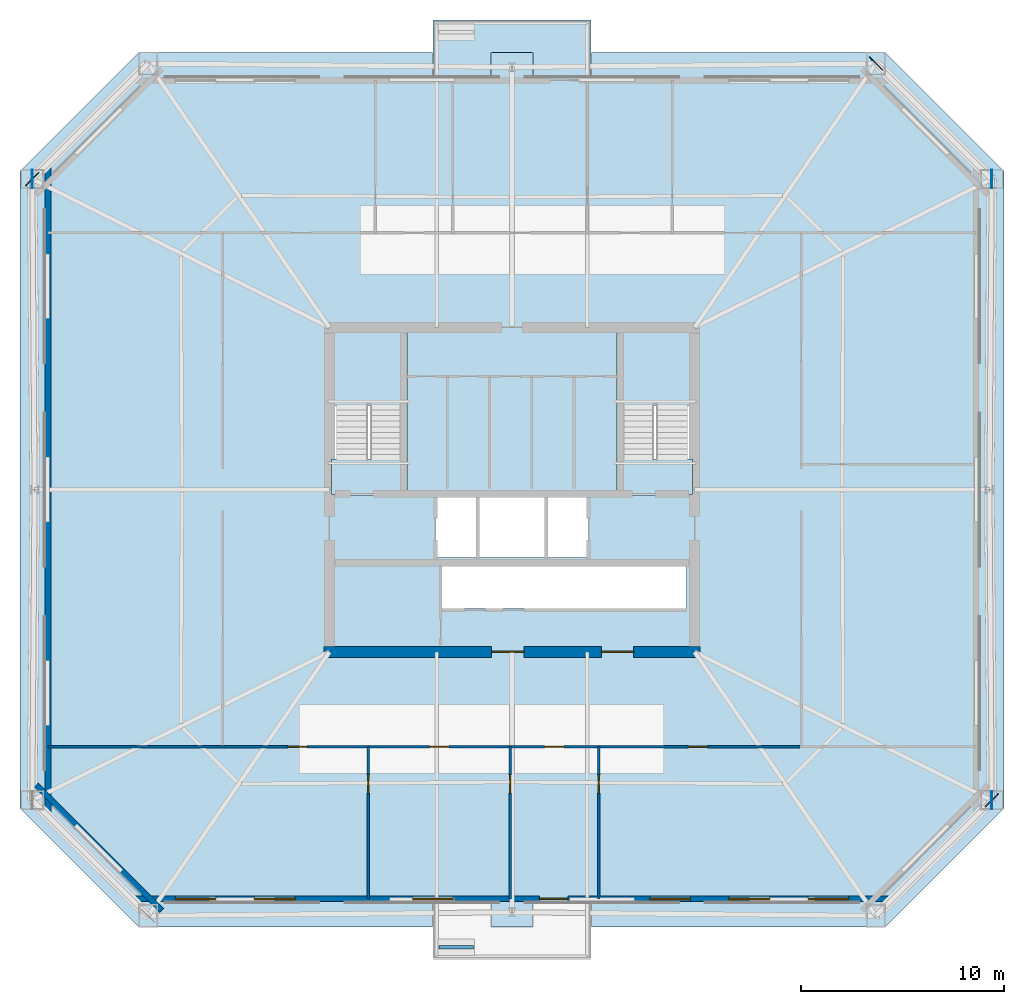
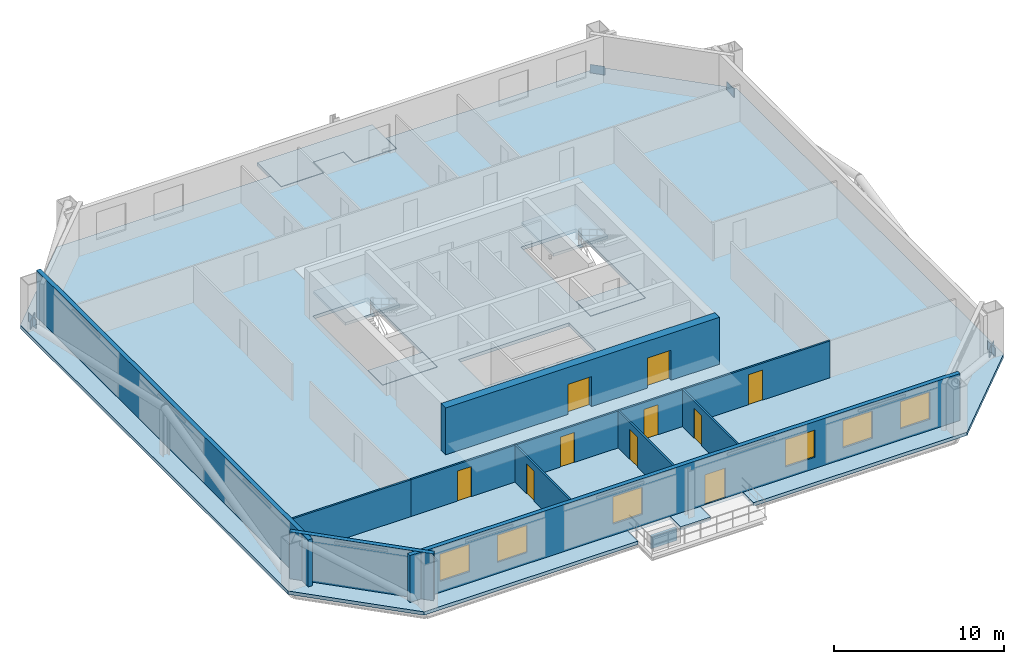
# One storey, part 2 of 7: 10 doors, 10 walls, 6 plates, 6 slabs, 6 windows, 16 openings, 2 elements without a shape of their own.
"""IFC4 building model written with IfcOpenShell, lengths in metres."""

from ifc_helpers import new_model, si_unit, direction, frame, frame_2d, origin, origin_2d, place, context, subcontext, project, spatial, polyline, rectangle, outline, extrude, material, layer, layer_set, type_object, element, fill, aggregate, save


model = new_model("IFC4")

# Units and contexts
model_context = context("Model", 3, precision=1e-05, world=origin(), true_north=direction((0.0, 1.0)))
body_context = subcontext(model_context, "Body", "Model", "MODEL_VIEW")
ifc_project = project(units=[si_unit("LENGTHUNIT", "METRE"), si_unit("AREAUNIT", "SQUARE_METRE"), si_unit("VOLUMEUNIT", "CUBIC_METRE"), si_unit("PLANEANGLEUNIT", "RADIAN"), si_unit("MASSUNIT", "GRAM", prefix="KILO")], contexts=[model_context])

# Site, building, storey
site_placement = place(None, origin())
site = spatial("IfcSite", under=ifc_project, at=site_placement, CompositionType="ELEMENT")
building_placement = place(site_placement, origin())
building = spatial("IfcBuilding", under=site, at=building_placement, Name="Caelvoria Tower", CompositionType="ELEMENT")
storey_placement = place(building_placement, frame((0.0, 0.0, 106.0)))
storey = spatial("IfcBuildingStorey", under=building, at=storey_placement, Name="L27", CompositionType="ELEMENT", Elevation=106.0)

# Plates
ifc_material_1 = material(Name="Structural Steel ASTM A572 Gr.50", Category="steel")
ifc_layer_1 = layer(ifc_material_1, 0.0400390625, Name="Structural Steel ASTM A572 Gr.50")
ifc_layer_set_1 = layer_set([ifc_layer_1], Name="Megaframe Node Gusset Plate 900x600x40 - Structural Steel ASTM A572 Gr.50")
plate_type = type_object("IfcPlateType", Name="Megaframe Node Gusset Plate 900x600x40", PredefinedType="USERDEFINED", material=ifc_layer_set_1)
for number, where, z_axis, x_axis, name in (
    (1, (69.6455078125, 16.69140625, 0.02001953125), (0.0, 0.0, 1.0), (-0.708307805559, -0.705903713394, 0.0), "Chamfer Mega Brace Gusset L27 SE"),
    (2, (63.9326171875, 53.00244140625, 0.02001953125), (0.0, 0.0, 1.0), (0.708307805559, -0.705903713394, 0.0), "Chamfer Mega Brace Gusset L27 NE"),
    (3, (22.3544921875, 47.30859375, 0.02001953125), (0.0, 0.0, 1.0), (0.708307805559, 0.705903713394, 0.0), "Chamfer Mega Brace Gusset L27 NW"),
    (4, (69.6455078125, 16.69140625, 0.050048828125), (0.0, 0.0, 1.0), (-0.007550222608, 0.999971496663, 0.0), "Megaframe Node Gusset Plate ND-04"),
    (5, (69.6455078125, 47.30859375, 0.050048828125), (0.0, 0.0, 1.0), (-0.007550222608, -0.999971496663, 0.0), "Megaframe Node Gusset Plate ND-04"),
    (6, (22.3544921875, 47.30859375, 0.050048828125), (0.0, 0.0, 1.0), (0.007550222608, -0.999971496663, 0.0), "Megaframe Node Gusset Plate ND-04"),
):
    element("IfcPlate", number, at=place(storey_placement, frame(where, z_axis=z_axis, x_axis=x_axis)), inside=storey, type_object=plate_type, Name=name, ObjectType="GUSSET_PLATE", PredefinedType="USERDEFINED", context=body_context, shape_type="SweptSolid", body=[
        extrude(rectangle(XDim=0.89990234375, YDim=0.0400390625, at=origin_2d()), origin(), (0.0, 0.0, 1.0), 0.60009765625),
    ])

# Stair, slabs
ifc_material_2 = material(Name="Concrete C40/50", Category="concrete")
stair_type = type_object("IfcStairType", Name="Core Smokeproof Dogleg Stair Concrete C40/50", PredefinedType="HALF_TURN_STAIR", material=ifc_material_2)
stair_1_placement = place(storey_placement, origin())
stair_1 = element("IfcStair", 7, at=stair_1_placement, inside=storey, type_object=stair_type, Name="ST-01 Smokeproof Exit Stair L27", PredefinedType="HALF_TURN_STAIR")
ifc_layer_2 = layer(ifc_material_2, 0.199951171875, Name="Concrete C40/50")
ifc_layer_set_2 = layer_set([ifc_layer_2], Name="Stair Half and Floor Landing Slab 200 Concrete C40/50 - Concrete C40/50")
slab_type_1 = type_object("IfcSlabType", Name="Stair Half and Floor Landing Slab 200 Concrete C40/50", PredefinedType="LANDING", material=ifc_layer_set_2)
slab_1_placement = place(storey_placement, frame((0.0, 0.0, -0.199951171875)))
slab_1 = element("IfcSlab", 8, at=slab_1_placement, type_object=slab_type_1, Name="ST-01 landing 1", PredefinedType="LANDING", context=body_context, shape_type="SweptSolid", body=[
    extrude(outline(polyline([(37.10009765625, 31.77001953125), (40.800048828125, 31.77001953125), (40.800048828125, 33.5), (37.10009765625, 33.5), (37.10009765625, 31.77001953125)])), origin(), (0.0, 0.0, 1.0), 0.199951171875),
])
slab_2_placement = place(storey_placement, frame((0.0, 0.0, 1.60009765625)))
slab_2 = element("IfcSlab", 9, at=slab_2_placement, type_object=slab_type_1, Name="ST-01 landing 2", PredefinedType="LANDING", context=body_context, shape_type="SweptSolid", body=[
    extrude(outline(polyline([(37.10009765625, 36.14990234375), (40.800048828125, 36.14990234375), (40.800048828125, 39.89990234375), (37.10009765625, 39.89990234375), (37.10009765625, 36.14990234375)])), origin(), (0.0, 0.0, 1.0), 0.199951171875),
])
aggregate(stair_1, [slab_1, slab_2])

stair_2_placement = place(storey_placement, origin())
stair_2 = element("IfcStair", 10, at=stair_2_placement, inside=storey, type_object=stair_type, Name="ST-02 Smokeproof Exit Stair L27", PredefinedType="HALF_TURN_STAIR")
slab_3_placement = place(storey_placement, frame((0.0, 0.0, -0.199951171875)))
slab_3 = element("IfcSlab", 11, at=slab_3_placement, type_object=slab_type_1, Name="ST-02 landing 1", PredefinedType="LANDING", context=body_context, shape_type="SweptSolid", body=[
    extrude(outline(polyline([(51.199951171875, 31.77001953125), (54.89990234375, 31.77001953125), (54.89990234375, 33.5), (51.199951171875, 33.5), (51.199951171875, 31.77001953125)])), origin(), (0.0, 0.0, 1.0), 0.199951171875),
])
slab_4_placement = place(storey_placement, frame((0.0, 0.0, 1.60009765625)))
slab_4 = element("IfcSlab", 12, at=slab_4_placement, type_object=slab_type_1, Name="ST-02 landing 2", PredefinedType="LANDING", context=body_context, shape_type="SweptSolid", body=[
    extrude(outline(polyline([(51.199951171875, 36.14990234375), (54.89990234375, 36.14990234375), (54.89990234375, 39.89990234375), (51.199951171875, 39.89990234375), (51.199951171875, 36.14990234375)])), origin(), (0.0, 0.0, 1.0), 0.199951171875),
])
aggregate(stair_2, [slab_3, slab_4])

# Slabs
ifc_layer_3 = layer(ifc_material_2, 0.239990234375, Name="Concrete C40/50")
ifc_layer_set_3 = layer_set([ifc_layer_3], Name="Tower Composite Office Slab 240 - Concrete C40/50")
slab_type_2 = type_object("IfcSlabType", Name="Tower Composite Office Slab 240", PredefinedType="FLOOR", material=ifc_layer_set_3)
slab_5_placement = place(storey_placement, frame((0.0, 0.0, -0.239990234375)))
element("IfcSlab", 13, at=slab_5_placement, inside=storey, type_object=slab_type_2, Name="Level L27 Structural Floor Slab", PredefinedType="FLOOR", context=body_context, shape_type="SweptSolid", body=[
    extrude(outline(polyline([(21.75, 47.699951171875), (21.75, 16.300048828125), (27.60009765625, 10.449951171875), (42.080078125, 10.449951171875), (42.080078125, 11.7099609375), (44.97998046875, 11.7099609375), (44.97998046875, 10.449951171875), (47.02001953125, 10.449951171875), (47.02001953125, 11.7099609375), (49.919921875, 11.7099609375), (49.919921875, 10.449951171875), (64.39990234375, 10.449951171875), (70.25, 16.300048828125), (70.25, 47.699951171875), (64.39990234375, 53.550048828125), (49.919921875, 53.550048828125), (49.919921875, 52.2900390625), (47.02001953125, 52.2900390625), (47.02001953125, 53.550048828125), (44.97998046875, 53.550048828125), (44.97998046875, 52.2900390625), (42.080078125, 52.2900390625), (42.080078125, 53.550048828125), (27.60009765625, 53.550048828125), (21.75, 47.699951171875)]), holes=[polyline([(37.080078125, 31.75), (40.820068359375, 31.75), (40.820068359375, 39.919921875), (37.080078125, 39.919921875), (37.080078125, 31.75)]), polyline([(51.179931640625, 31.75), (54.919921875, 31.75), (54.919921875, 39.919921875), (51.179931640625, 39.919921875), (51.179931640625, 31.75)]), polyline([(42.25, 28.64990234375), (49.75, 28.64990234375), (49.75, 31.800048828125), (42.25, 31.800048828125), (42.25, 28.64990234375)]), polyline([(42.550048828125, 26.14990234375), (54.60009765625, 26.14990234375), (54.60009765625, 28.25), (42.550048828125, 28.25), (42.550048828125, 26.14990234375)])]), origin(), (0.0, 0.0, 1.0), 0.239990234375),
])
ifc_material_3 = material(Name="Concrete C45/55", Category="concrete")
ifc_layer_4 = layer(ifc_material_3, 0.25, Name="Concrete C45/55")
ifc_layer_set_4 = layer_set([ifc_layer_4], Name="Tree Balcony Structural Planter Slab 250 - Concrete C45/55")
slab_type_3 = type_object("IfcSlabType", Name="Tree Balcony Structural Planter Slab 250", PredefinedType="FLOOR", material=ifc_layer_set_4)
slab_6_placement = place(storey_placement, frame((0.0, 0.0, -0.25)))
element("IfcSlab", 14, at=slab_6_placement, inside=storey, type_object=slab_type_3, Name="Tree Balcony Slab TB-L27-N", PredefinedType="FLOOR", context=body_context, shape_type="SweptSolid", body=[
    extrude(outline(polyline([(42.10009765625, 55.14990234375), (42.10009765625, 53.550048828125), (42.10009765625, 52.31005859375), (44.9599609375, 52.31005859375), (44.9599609375, 53.550048828125), (47.0400390625, 53.550048828125), (47.0400390625, 52.31005859375), (49.89990234375, 52.31005859375), (49.89990234375, 53.550048828125), (49.89990234375, 55.14990234375), (42.10009765625, 55.14990234375)])), origin(), (0.0, 0.0, 1.0), 0.25),
])

# Wall
ifc_material_4 = material(Name="Bronze-Clad Concrete C40/50", Category="concrete")
ifc_layer_5 = layer(ifc_material_4, 0.179931640625, Name="Bronze-Clad Concrete C40/50")
ifc_layer_set_5 = layer_set([ifc_layer_5], Name="Architectural Planter Kerb Wall 180 - Bronze-Clad Concrete C40/50")
wall_type_1 = type_object("IfcWallType", Name="Architectural Planter Kerb Wall 180", PredefinedType="PARAPET", material=ifc_layer_set_5)
wall_1_placement = place(storey_placement, frame((42.39990234375, 9.449951171875, 0.0), z_axis=(0.0, 0.0, 1.0), x_axis=(1.0, 0.0, 0.0)))
element("IfcWall", 15, at=wall_1_placement, inside=storey, type_object=wall_type_1, Name="Tree Balcony Planter Kerb PLANTER TB-L27-S", PredefinedType="PARAPET", context=body_context, shape_type="SweptSolid", body=[
    extrude(rectangle(XDim=1.7001953125, YDim=0.179931640625, at=frame_2d((0.85009765625, 0.0))), origin(), (0.0, 0.0, 1.0), 0.8798828125),
])

# Wall, openings, windows, door
ifc_material_5 = material(Name="Precast Concrete C40/50 with Bronze Cladding", Category="concrete")
ifc_layer_6 = layer(ifc_material_5, 0.280029296875, Name="Precast Concrete C40/50 with Bronze Cladding")
ifc_layer_set_6 = layer_set([ifc_layer_6], Name="Exterior Precast Concrete C40/50 Bronze-Clad Facade Wall 280 - Precast Concrete C40/50 with Bronze Cladding")
wall_type_2 = type_object("IfcWallType", Name="Exterior Precast Concrete C40/50 Bronze-Clad Facade Wall 280", PredefinedType="STANDARD", material=ifc_layer_set_6)
wall_2_placement = place(storey_placement, frame((27.360107421875, 11.830078125, 0.0), z_axis=(0.0, 0.0, 1.0), x_axis=(1.0, 0.0, 0.0)))
wall_2 = element("IfcWall", 16, at=wall_2_placement, inside=storey, type_object=wall_type_2, Name="Exterior Facade Wall L27-E0", PredefinedType="STANDARD", context=body_context, shape_type="SweptSolid", body=[
    extrude(rectangle(XDim=37.27978515625, YDim=0.280029296875, at=frame_2d((18.639892578125, 0.0))), origin(), (0.0, 0.0, 1.0), 3.360107421875),
])
opening_1_placement = place(wall_2_placement, frame((19.989990234375, 0.0, 0.0)))
opening_1 = element("IfcOpeningElement", 17, at=opening_1_placement, cuts=wall_2, Name="Opening ED-04", PredefinedType="OPENING", context=body_context, shape_type="SweptSolid", body=[
    extrude(rectangle(XDim=1.39990234375, YDim=2.14990234375, at=frame_2d((0.699951171875, 1.074951171875))), frame((0.0, 0.14990234375, 0.0), z_axis=(0.0, -1.0, 0.0), x_axis=(1.0, 0.0, 0.0)), (0.0, 0.0, 1.0), 0.300048828125),
])
opening_2_placement = place(wall_2_placement, frame((2.048828125, 0.0, 0.800048828125)))
opening_2 = element("IfcOpeningElement", 18, at=opening_2_placement, cuts=wall_2, Name="Opening WN-01", PredefinedType="OPENING", context=body_context, shape_type="SweptSolid", body=[
    extrude(rectangle(XDim=2.0, YDim=1.949951171875, at=frame_2d((1.0, 0.97509765625))), frame((0.0, 0.14990234375, 0.0), z_axis=(0.0, -1.0, 0.0), x_axis=(1.0, 0.0, 0.0)), (0.0, 0.0, 1.0), 0.300048828125),
])
opening_3_placement = place(wall_2_placement, frame((5.94677734375, 0.0, 0.800048828125)))
opening_3 = element("IfcOpeningElement", 19, at=opening_3_placement, cuts=wall_2, Name="Opening WN-01", PredefinedType="OPENING", context=body_context, shape_type="SweptSolid", body=[
    extrude(rectangle(XDim=2.0, YDim=1.949951171875, at=frame_2d((1.0, 0.97509765625))), frame((0.0, 0.14990234375, 0.0), z_axis=(0.0, -1.0, 0.0), x_axis=(1.0, 0.0, 0.0)), (0.0, 0.0, 1.0), 0.300048828125),
])
opening_4_placement = place(wall_2_placement, frame((13.7421875, 0.0, 0.800048828125)))
opening_4 = element("IfcOpeningElement", 20, at=opening_4_placement, cuts=wall_2, Name="Opening WN-01", PredefinedType="OPENING", context=body_context, shape_type="SweptSolid", body=[
    extrude(rectangle(XDim=2.0, YDim=1.949951171875, at=frame_2d((1.0, 0.97509765625))), frame((0.0, 0.14990234375, 0.0), z_axis=(0.0, -1.0, 0.0), x_axis=(1.0, 0.0, 0.0)), (0.0, 0.0, 1.0), 0.300048828125),
])
opening_5_placement = place(wall_2_placement, frame((25.435546875, 0.0, 0.800048828125)))
opening_5 = element("IfcOpeningElement", 21, at=opening_5_placement, cuts=wall_2, Name="Opening WN-01", PredefinedType="OPENING", context=body_context, shape_type="SweptSolid", body=[
    extrude(rectangle(XDim=2.0, YDim=1.949951171875, at=frame_2d((1.0, 0.97509765625))), frame((0.0, 0.14990234375, 0.0), z_axis=(0.0, -1.0, 0.0), x_axis=(1.0, 0.0, 0.0)), (0.0, 0.0, 1.0), 0.300048828125),
])
opening_6_placement = place(wall_2_placement, frame((29.333251953125, 0.0, 0.800048828125)))
opening_6 = element("IfcOpeningElement", 22, at=opening_6_placement, cuts=wall_2, Name="Opening WN-01", PredefinedType="OPENING", context=body_context, shape_type="SweptSolid", body=[
    extrude(rectangle(XDim=2.0, YDim=1.949951171875, at=frame_2d((1.0, 0.97509765625))), frame((0.0, 0.14990234375, 0.0), z_axis=(0.0, -1.0, 0.0), x_axis=(1.0, 0.0, 0.0)), (0.0, 0.0, 1.0), 0.300048828125),
])
opening_7_placement = place(wall_2_placement, frame((33.231201171875, 0.0, 0.800048828125)))
opening_7 = element("IfcOpeningElement", 23, at=opening_7_placement, cuts=wall_2, Name="Opening WN-01", PredefinedType="OPENING", context=body_context, shape_type="SweptSolid", body=[
    extrude(rectangle(XDim=2.0, YDim=1.949951171875, at=frame_2d((1.0, 0.97509765625))), frame((0.0, 0.14990234375, 0.0), z_axis=(0.0, -1.0, 0.0), x_axis=(1.0, 0.0, 0.0)), (0.0, 0.0, 1.0), 0.300048828125),
])
ifc_material_6 = material(Name="Low-E Tinted Glass in Bronze Aluminium Frame", Category="aluminium")
window_type = type_object("IfcWindowType", Name="Tower Office Vision Window 2000x1950", PartitioningType="SINGLE_PANEL", PredefinedType="WINDOW", material=ifc_material_6)
window_1_placement = place(opening_2_placement, origin())
window_1 = element("IfcWindow", 24, at=window_1_placement, inside=storey, type_object=window_type, Name="Facade Window L27-E0-00", OverallHeight=1.949951171875, OverallWidth=2.0, PartitioningType="SINGLE_PANEL", PredefinedType="WINDOW", context=body_context, shape_type="SweptSolid", body=[
    extrude(rectangle(XDim=2.0, YDim=1.949951171875, at=frame_2d((1.0, 0.97509765625))), frame((0.0, 0.030029296875, 0.0), z_axis=(0.0, -1.0, 0.0), x_axis=(1.0, 0.0, 0.0)), (0.0, 0.0, 1.0), 0.06005859375),
])
fill(opening_2, window_1)
window_2_placement = place(opening_3_placement, origin())
window_2 = element("IfcWindow", 25, at=window_2_placement, inside=storey, type_object=window_type, Name="Facade Window L27-E0-01", OverallHeight=1.949951171875, OverallWidth=2.0, PartitioningType="SINGLE_PANEL", PredefinedType="WINDOW", context=body_context, shape_type="SweptSolid", body=[
    extrude(rectangle(XDim=2.0, YDim=1.949951171875, at=frame_2d((1.0, 0.97509765625))), frame((0.0, 0.030029296875, 0.0), z_axis=(0.0, -1.0, 0.0), x_axis=(1.0, 0.0, 0.0)), (0.0, 0.0, 1.0), 0.06005859375),
])
fill(opening_3, window_2)
window_3_placement = place(opening_4_placement, origin())
window_3 = element("IfcWindow", 26, at=window_3_placement, inside=storey, type_object=window_type, Name="Facade Window L27-E0-03", OverallHeight=1.949951171875, OverallWidth=2.0, PartitioningType="SINGLE_PANEL", PredefinedType="WINDOW", context=body_context, shape_type="SweptSolid", body=[
    extrude(rectangle(XDim=2.0, YDim=1.949951171875, at=frame_2d((1.0, 0.97509765625))), frame((0.0, 0.030029296875, 0.0), z_axis=(0.0, -1.0, 0.0), x_axis=(1.0, 0.0, 0.0)), (0.0, 0.0, 1.0), 0.06005859375),
])
fill(opening_4, window_3)
window_4_placement = place(opening_5_placement, origin())
window_4 = element("IfcWindow", 27, at=window_4_placement, inside=storey, type_object=window_type, Name="Facade Window L27-E0-06", OverallHeight=1.949951171875, OverallWidth=2.0, PartitioningType="SINGLE_PANEL", PredefinedType="WINDOW", context=body_context, shape_type="SweptSolid", body=[
    extrude(rectangle(XDim=2.0, YDim=1.949951171875, at=frame_2d((1.0, 0.97509765625))), frame((0.0, 0.030029296875, 0.0), z_axis=(0.0, -1.0, 0.0), x_axis=(1.0, 0.0, 0.0)), (0.0, 0.0, 1.0), 0.06005859375),
])
fill(opening_5, window_4)
window_5_placement = place(opening_6_placement, origin())
window_5 = element("IfcWindow", 28, at=window_5_placement, inside=storey, type_object=window_type, Name="Facade Window L27-E0-07", OverallHeight=1.949951171875, OverallWidth=2.0, PartitioningType="SINGLE_PANEL", PredefinedType="WINDOW", context=body_context, shape_type="SweptSolid", body=[
    extrude(rectangle(XDim=2.0, YDim=1.949951171875, at=frame_2d((1.0, 0.97509765625))), frame((0.0, 0.030029296875, 0.0), z_axis=(0.0, -1.0, 0.0), x_axis=(1.0, 0.0, 0.0)), (0.0, 0.0, 1.0), 0.06005859375),
])
fill(opening_6, window_5)
window_6_placement = place(opening_7_placement, origin())
window_6 = element("IfcWindow", 29, at=window_6_placement, inside=storey, type_object=window_type, Name="Facade Window L27-E0-08", OverallHeight=1.949951171875, OverallWidth=2.0, PartitioningType="SINGLE_PANEL", PredefinedType="WINDOW", context=body_context, shape_type="SweptSolid", body=[
    extrude(rectangle(XDim=2.0, YDim=1.949951171875, at=frame_2d((1.0, 0.97509765625))), frame((0.0, 0.030029296875, 0.0), z_axis=(0.0, -1.0, 0.0), x_axis=(1.0, 0.0, 0.0)), (0.0, 0.0, 1.0), 0.06005859375),
])
fill(opening_7, window_6)
ifc_material_7 = material(Name="Anodised Bronze Aluminium and Laminated Glass", Category="aluminium")
door_type_1 = type_object("IfcDoorType", Name="Tree Balcony Glazed Door 1400x2150", OperationType="NOTDEFINED", PredefinedType="DOOR", material=ifc_material_7)
door_1_placement = place(opening_1_placement, origin())
door_1 = element("IfcDoor", 30, at=door_1_placement, inside=storey, type_object=door_type_1, Name="Tree Balcony Door L27-S", OperationType="SINGLE_SWING_RIGHT", OverallHeight=2.14990234375, OverallWidth=1.39990234375, PredefinedType="DOOR", context=body_context, shape_type="SweptSolid", body=[
    extrude(rectangle(XDim=1.39990234375, YDim=2.14990234375, at=frame_2d((0.699951171875, 1.074951171875))), frame((0.0, 0.02490234375, 0.0), z_axis=(0.0, -1.0, 0.0), x_axis=(1.0, 0.0, 0.0)), (0.0, 0.0, 1.0), 0.050048828125),
])
fill(opening_1, door_1)

# Walls
wall_3_placement = place(storey_placement, frame((23.1298828125, 47.93994140625, 0.0), z_axis=(0.0, 0.0, 1.0), x_axis=(0.0, -1.0, 0.0)))
element("IfcWall", 31, at=wall_3_placement, inside=storey, type_object=wall_type_2, Name="Exterior Facade Wall L27-E6", PredefinedType="STANDARD", context=body_context, shape_type="SweptSolid", body=[
    extrude(rectangle(XDim=31.8798828125, YDim=0.280029296875, at=frame_2d((15.93994140625, 0.0))), origin(), (0.0, 0.0, 1.0), 3.360107421875),
])
wall_4_placement = place(storey_placement, frame((22.55615234375, 17.445556640625, 0.0), z_axis=(0.0, 0.0, 1.0), x_axis=(0.707106781187, -0.707106781187, 0.0)))
element("IfcWall", 32, at=wall_4_placement, inside=storey, type_object=wall_type_2, Name="Exterior Facade Wall L27-E7", PredefinedType="STANDARD", context=body_context, shape_type="SweptSolid", body=[
    extrude(rectangle(XDim=8.753173828125, YDim=0.280029296875, at=frame_2d((4.37646484375, 0.0))), origin(), (0.0, 0.0, 1.0), 3.360107421875),
])

# Wall, openings, doors
ifc_material_8 = material(Name="Concrete C55/67", Category="concrete")
ifc_layer_7 = layer(ifc_material_8, 0.550048828125, Name="Concrete C55/67")
ifc_layer_set_7 = layer_set([ifc_layer_7], Name="Mid Core Shear Wall 550 - Concrete C55/67")
wall_type_3 = type_object("IfcWallType", Name="Mid Core Shear Wall 550", PredefinedType="SHEAR", material=ifc_layer_set_7)
wall_5_placement = place(storey_placement, frame((36.72509765625, 24.0, 0.0), z_axis=(0.0, 0.0, 1.0), x_axis=(1.0, 0.0, 0.0)))
wall_5 = element("IfcWall", 33, at=wall_5_placement, inside=storey, type_object=wall_type_3, Name="Core Shear Wall L27 S", PredefinedType="SHEAR", context=body_context, shape_type="SweptSolid", body=[
    extrude(rectangle(XDim=18.5498046875, YDim=0.550048828125, at=frame_2d((9.27490234375, 0.0))), origin(), (0.0, 0.0, 1.0), 3.360107421875),
])
opening_8_placement = place(wall_5_placement, frame((8.27490234375, 0.0, 0.0)))
opening_8 = element("IfcOpeningElement", 34, at=opening_8_placement, cuts=wall_5, Name="Opening ID-08", PredefinedType="OPENING", context=body_context, shape_type="SweptSolid", body=[
    extrude(rectangle(XDim=1.60009765625, YDim=2.14990234375, at=frame_2d((0.800048828125, 1.074951171875))), frame((0.0, 0.284912109375, 0.0), z_axis=(0.0, -1.0, 0.0), x_axis=(1.0, 0.0, 0.0)), (0.0, 0.0, 1.0), 0.570068359375),
])
opening_9_placement = place(wall_5_placement, frame((13.675048828125, 0.0, 0.0)))
opening_9 = element("IfcOpeningElement", 35, at=opening_9_placement, cuts=wall_5, Name="Opening ID-08", PredefinedType="OPENING", context=body_context, shape_type="SweptSolid", body=[
    extrude(rectangle(XDim=1.60009765625, YDim=2.14990234375, at=frame_2d((0.800048828125, 1.074951171875))), frame((0.0, 0.284912109375, 0.0), z_axis=(0.0, -1.0, 0.0), x_axis=(1.0, 0.0, 0.0)), (0.0, 0.0, 1.0), 0.570068359375),
])
ifc_material_9 = material(Name="Bronze-Framed Fire-Rated Glazed Double Door", Category="aluminium")
door_type_2 = type_object("IfcDoorType", Name="Double Lobby Glazed Door 1600x2200", OperationType="NOTDEFINED", PredefinedType="DOOR", material=ifc_material_9)
door_2_placement = place(opening_8_placement, origin())
door_2 = element("IfcDoor", 36, at=door_2_placement, inside=storey, type_object=door_type_2, Name="Core Door DR-L27-LLOB-S1", OperationType="DOUBLE_DOOR_SINGLE_SWING", OverallHeight=2.14990234375, OverallWidth=1.60009765625, PredefinedType="DOOR", context=body_context, shape_type="SweptSolid", body=[
    extrude(rectangle(XDim=1.60009765625, YDim=2.14990234375, at=frame_2d((0.800048828125, 1.074951171875))), frame((0.0, 0.02490234375, 0.0), z_axis=(0.0, -1.0, 0.0), x_axis=(1.0, 0.0, 0.0)), (0.0, 0.0, 1.0), 0.050048828125),
])
fill(opening_8, door_2)
door_3_placement = place(opening_9_placement, origin())
door_3 = element("IfcDoor", 37, at=door_3_placement, inside=storey, type_object=door_type_2, Name="Core Door DR-L27-LLOB-S2", OperationType="DOUBLE_DOOR_SINGLE_SWING", OverallHeight=2.14990234375, OverallWidth=1.60009765625, PredefinedType="DOOR", context=body_context, shape_type="SweptSolid", body=[
    extrude(rectangle(XDim=1.60009765625, YDim=2.14990234375, at=frame_2d((0.800048828125, 1.074951171875))), frame((0.0, 0.02490234375, 0.0), z_axis=(0.0, -1.0, 0.0), x_axis=(1.0, 0.0, 0.0)), (0.0, 0.0, 1.0), 0.050048828125),
])
fill(opening_9, door_3)

# Wall, opening, door
ifc_material_10 = material(Name="Acoustic Gypsum Board on Light-Gauge Stud", Category="gypsum")
ifc_layer_8 = layer(ifc_material_10, 0.1201171875, Name="Acoustic Gypsum Board on Light-Gauge Stud")
ifc_layer_set_8 = layer_set([ifc_layer_8], Name="Tenant Suite Acoustic Partition Wall 120 - Acoustic Gypsum Board on Light-Gauge Stud")
wall_type_4 = type_object("IfcWallType", Name="Tenant Suite Acoustic Partition Wall 120", PredefinedType="PARTITIONING", material=ifc_layer_set_8)
wall_6_placement = place(storey_placement, frame((38.91357421875, 19.340087890625, 0.0), z_axis=(0.0, 0.0, 1.0), x_axis=(0.0, -1.0, 0.0)))
wall_6 = element("IfcWall", 38, at=wall_6_placement, inside=storey, type_object=wall_type_4, Name="Interior Partition IW-L27-SD-00-0", PredefinedType="PARTITIONING", context=body_context, shape_type="SweptSolid", body=[
    extrude(rectangle(XDim=7.510009765625, YDim=0.1201171875, at=frame_2d((3.7548828125, 0.0))), origin(), (0.0, 0.0, 1.0), 2.639892578125),
])
opening_10_placement = place(wall_6_placement, frame((1.39990234375, 0.0, 0.0)))
opening_10 = element("IfcOpeningElement", 39, at=opening_10_placement, cuts=wall_6, Name="Opening ID-06", PredefinedType="OPENING", context=body_context, shape_type="SweptSolid", body=[
    extrude(rectangle(XDim=0.89990234375, YDim=2.14990234375, at=frame_2d((0.449951171875, 1.074951171875))), frame((0.0, 0.070068359375, 0.0), z_axis=(0.0, -1.0, 0.0), x_axis=(1.0, 0.0, 0.0)), (0.0, 0.0, 1.0), 0.14013671875),
])
ifc_material_11 = material(Name="Engineered Andean Oak Veneer Door", Category="wood")
door_type_3 = type_object("IfcDoorType", Name="Interior Timber Door 900x2150", OperationType="NOTDEFINED", PredefinedType="DOOR", material=ifc_material_11)
door_4_placement = place(opening_10_placement, origin())
door_4 = element("IfcDoor", 40, at=door_4_placement, inside=storey, type_object=door_type_3, Name="Interior Door DR-L27-SM-00-0", OperationType="SINGLE_SWING_RIGHT", OverallHeight=2.14990234375, OverallWidth=0.89990234375, PredefinedType="DOOR", context=body_context, shape_type="SweptSolid", body=[
    extrude(rectangle(XDim=0.89990234375, YDim=2.14990234375, at=frame_2d((0.449951171875, 1.074951171875))), frame((0.0, 0.02490234375, 0.0), z_axis=(0.0, -1.0, 0.0), x_axis=(1.0, 0.0, 0.0)), (0.0, 0.0, 1.0), 0.050048828125),
])
fill(opening_10, door_4)

wall_7_placement = place(storey_placement, frame((45.908935546875, 19.340087890625, 0.0), z_axis=(0.0, 0.0, 1.0), x_axis=(0.0, -1.0, 0.0)))
wall_7 = element("IfcWall", 41, at=wall_7_placement, inside=storey, type_object=wall_type_4, Name="Interior Partition IW-L27-SD-01-0", PredefinedType="PARTITIONING", context=body_context, shape_type="SweptSolid", body=[
    extrude(rectangle(XDim=7.510009765625, YDim=0.1201171875, at=frame_2d((3.7548828125, 0.0))), origin(), (0.0, 0.0, 1.0), 2.639892578125),
])
opening_11_placement = place(wall_7_placement, frame((1.39990234375, 0.0, 0.0)))
opening_11 = element("IfcOpeningElement", 42, at=opening_11_placement, cuts=wall_7, Name="Opening ID-06", PredefinedType="OPENING", context=body_context, shape_type="SweptSolid", body=[
    extrude(rectangle(XDim=0.89990234375, YDim=2.14990234375, at=frame_2d((0.449951171875, 1.074951171875))), frame((0.0, 0.070068359375, 0.0), z_axis=(0.0, -1.0, 0.0), x_axis=(1.0, 0.0, 0.0)), (0.0, 0.0, 1.0), 0.14013671875),
])
door_5_placement = place(opening_11_placement, origin())
door_5 = element("IfcDoor", 43, at=door_5_placement, inside=storey, type_object=door_type_3, Name="Interior Door DR-L27-SM-01-0", OperationType="SINGLE_SWING_LEFT", OverallHeight=2.14990234375, OverallWidth=0.89990234375, PredefinedType="DOOR", context=body_context, shape_type="SweptSolid", body=[
    extrude(rectangle(XDim=0.89990234375, YDim=2.14990234375, at=frame_2d((0.449951171875, 1.074951171875))), frame((0.0, 0.02490234375, 0.0), z_axis=(0.0, -1.0, 0.0), x_axis=(1.0, 0.0, 0.0)), (0.0, 0.0, 1.0), 0.050048828125),
])
fill(opening_11, door_5)

wall_8_placement = place(storey_placement, frame((50.2666015625, 19.340087890625, 0.0), z_axis=(0.0, 0.0, 1.0), x_axis=(0.0, -1.0, 0.0)))
wall_8 = element("IfcWall", 44, at=wall_8_placement, inside=storey, type_object=wall_type_4, Name="Interior Partition IW-L27-SD-02-0", PredefinedType="PARTITIONING", context=body_context, shape_type="SweptSolid", body=[
    extrude(rectangle(XDim=7.510009765625, YDim=0.1201171875, at=frame_2d((3.7548828125, 0.0))), origin(), (0.0, 0.0, 1.0), 2.639892578125),
])
opening_12_placement = place(wall_8_placement, frame((1.39990234375, 0.0, 0.0)))
opening_12 = element("IfcOpeningElement", 45, at=opening_12_placement, cuts=wall_8, Name="Opening ID-06", PredefinedType="OPENING", context=body_context, shape_type="SweptSolid", body=[
    extrude(rectangle(XDim=0.89990234375, YDim=2.14990234375, at=frame_2d((0.449951171875, 1.074951171875))), frame((0.0, 0.070068359375, 0.0), z_axis=(0.0, -1.0, 0.0), x_axis=(1.0, 0.0, 0.0)), (0.0, 0.0, 1.0), 0.14013671875),
])
door_6_placement = place(opening_12_placement, origin())
door_6 = element("IfcDoor", 46, at=door_6_placement, inside=storey, type_object=door_type_3, Name="Interior Door DR-L27-SM-02-0", OperationType="SINGLE_SWING_RIGHT", OverallHeight=2.14990234375, OverallWidth=0.89990234375, PredefinedType="DOOR", context=body_context, shape_type="SweptSolid", body=[
    extrude(rectangle(XDim=0.89990234375, YDim=2.14990234375, at=frame_2d((0.449951171875, 1.074951171875))), frame((0.0, 0.02490234375, 0.0), z_axis=(0.0, -1.0, 0.0), x_axis=(1.0, 0.0, 0.0)), (0.0, 0.0, 1.0), 0.050048828125),
])
fill(opening_12, door_6)

# Wall, openings, doors
wall_9_placement = place(storey_placement, frame((31.800048828125, 19.340087890625, 0.0), z_axis=(0.0, 0.0, 1.0), x_axis=(1.0, 0.0, 0.0)))
wall_9 = element("IfcWall", 47, at=wall_9_placement, inside=storey, type_object=wall_type_4, Name="Interior Partition IW-L27-SCW-0", PredefinedType="PARTITIONING", context=body_context, shape_type="SweptSolid", body=[
    extrude(rectangle(XDim=28.39990234375, YDim=0.1201171875, at=frame_2d((14.199951171875, 0.0))), origin(), (0.0, 0.0, 1.0), 2.639892578125),
])
opening_13_placement = place(wall_9_placement, frame((3.151611328125, 0.0, 0.0)))
opening_13 = element("IfcOpeningElement", 48, at=opening_13_placement, cuts=wall_9, Name="Opening ID-05", PredefinedType="OPENING", context=body_context, shape_type="SweptSolid", body=[
    extrude(rectangle(XDim=0.949951171875, YDim=2.14990234375, at=frame_2d((0.47509765625, 1.074951171875))), frame((0.0, 0.070068359375, 0.0), z_axis=(0.0, -1.0, 0.0), x_axis=(1.0, 0.0, 0.0)), (0.0, 0.0, 1.0), 0.14013671875),
])
opening_14_placement = place(wall_9_placement, frame((10.13623046875, 0.0, 0.0)))
opening_14 = element("IfcOpeningElement", 49, at=opening_14_placement, cuts=wall_9, Name="Opening ID-05", PredefinedType="OPENING", context=body_context, shape_type="SweptSolid", body=[
    extrude(rectangle(XDim=0.949951171875, YDim=2.14990234375, at=frame_2d((0.47509765625, 1.074951171875))), frame((0.0, 0.070068359375, 0.0), z_axis=(0.0, -1.0, 0.0), x_axis=(1.0, 0.0, 0.0)), (0.0, 0.0, 1.0), 0.14013671875),
])
opening_15_placement = place(wall_9_placement, frame((15.812744140625, 0.0, 0.0)))
opening_15 = element("IfcOpeningElement", 50, at=opening_15_placement, cuts=wall_9, Name="Opening ID-05", PredefinedType="OPENING", context=body_context, shape_type="SweptSolid", body=[
    extrude(rectangle(XDim=0.949951171875, YDim=2.14990234375, at=frame_2d((0.47509765625, 1.074951171875))), frame((0.0, 0.070068359375, 0.0), z_axis=(0.0, -1.0, 0.0), x_axis=(1.0, 0.0, 0.0)), (0.0, 0.0, 1.0), 0.14013671875),
])
opening_16_placement = place(wall_9_placement, frame((22.888427734375, 0.0, 0.0)))
opening_16 = element("IfcOpeningElement", 51, at=opening_16_placement, cuts=wall_9, Name="Opening ID-05", PredefinedType="OPENING", context=body_context, shape_type="SweptSolid", body=[
    extrude(rectangle(XDim=0.949951171875, YDim=2.14990234375, at=frame_2d((0.47509765625, 1.074951171875))), frame((0.0, 0.070068359375, 0.0), z_axis=(0.0, -1.0, 0.0), x_axis=(1.0, 0.0, 0.0)), (0.0, 0.0, 1.0), 0.14013671875),
])
door_type_4 = type_object("IfcDoorType", Name="Interior Timber Door 950x2150", OperationType="NOTDEFINED", PredefinedType="DOOR", material=ifc_material_11)
door_7_placement = place(opening_13_placement, origin())
door_7 = element("IfcDoor", 52, at=door_7_placement, inside=storey, type_object=door_type_4, Name="Interior Door DR-L27-SC-00-0", OperationType="SINGLE_SWING_RIGHT", OverallHeight=2.14990234375, OverallWidth=0.949951171875, PredefinedType="DOOR", context=body_context, shape_type="SweptSolid", body=[
    extrude(rectangle(XDim=0.949951171875, YDim=2.14990234375, at=frame_2d((0.47509765625, 1.074951171875))), frame((0.0, 0.02490234375, 0.0), z_axis=(0.0, -1.0, 0.0), x_axis=(1.0, 0.0, 0.0)), (0.0, 0.0, 1.0), 0.050048828125),
])
fill(opening_13, door_7)
door_8_placement = place(opening_14_placement, origin())
door_8 = element("IfcDoor", 53, at=door_8_placement, inside=storey, type_object=door_type_4, Name="Interior Door DR-L27-SC-01-0", OperationType="SINGLE_SWING_LEFT", OverallHeight=2.14990234375, OverallWidth=0.949951171875, PredefinedType="DOOR", context=body_context, shape_type="SweptSolid", body=[
    extrude(rectangle(XDim=0.949951171875, YDim=2.14990234375, at=frame_2d((0.47509765625, 1.074951171875))), frame((0.0, 0.02490234375, 0.0), z_axis=(0.0, -1.0, 0.0), x_axis=(1.0, 0.0, 0.0)), (0.0, 0.0, 1.0), 0.050048828125),
])
fill(opening_14, door_8)
door_9_placement = place(opening_15_placement, origin())
door_9 = element("IfcDoor", 54, at=door_9_placement, inside=storey, type_object=door_type_4, Name="Interior Door DR-L27-SC-02-0", OperationType="SINGLE_SWING_RIGHT", OverallHeight=2.14990234375, OverallWidth=0.949951171875, PredefinedType="DOOR", context=body_context, shape_type="SweptSolid", body=[
    extrude(rectangle(XDim=0.949951171875, YDim=2.14990234375, at=frame_2d((0.47509765625, 1.074951171875))), frame((0.0, 0.02490234375, 0.0), z_axis=(0.0, -1.0, 0.0), x_axis=(1.0, 0.0, 0.0)), (0.0, 0.0, 1.0), 0.050048828125),
])
fill(opening_15, door_9)
door_10_placement = place(opening_16_placement, origin())
door_10 = element("IfcDoor", 55, at=door_10_placement, inside=storey, type_object=door_type_4, Name="Interior Door DR-L27-SC-03-0", OperationType="SINGLE_SWING_LEFT", OverallHeight=2.14990234375, OverallWidth=0.949951171875, PredefinedType="DOOR", context=body_context, shape_type="SweptSolid", body=[
    extrude(rectangle(XDim=0.949951171875, YDim=2.14990234375, at=frame_2d((0.47509765625, 1.074951171875))), frame((0.0, 0.02490234375, 0.0), z_axis=(0.0, -1.0, 0.0), x_axis=(1.0, 0.0, 0.0)), (0.0, 0.0, 1.0), 0.050048828125),
])
fill(opening_16, door_10)

# Wall
wall_10_placement = place(storey_placement, frame((31.800048828125, 19.340087890625, 0.0), z_axis=(0.0, 0.0, 1.0), x_axis=(-1.0, 0.0, 0.0)))
element("IfcWall", 56, at=wall_10_placement, inside=storey, type_object=wall_type_4, Name="Interior Partition IW-L27-BSW-0", PredefinedType="PARTITIONING", context=body_context, shape_type="SweptSolid", body=[
    extrude(rectangle(XDim=8.670166015625, YDim=0.1201171875, at=frame_2d((4.3349609375, 0.0))), origin(), (0.0, 0.0, 1.0), 2.639892578125),
])

save(model, "model.ifc")
